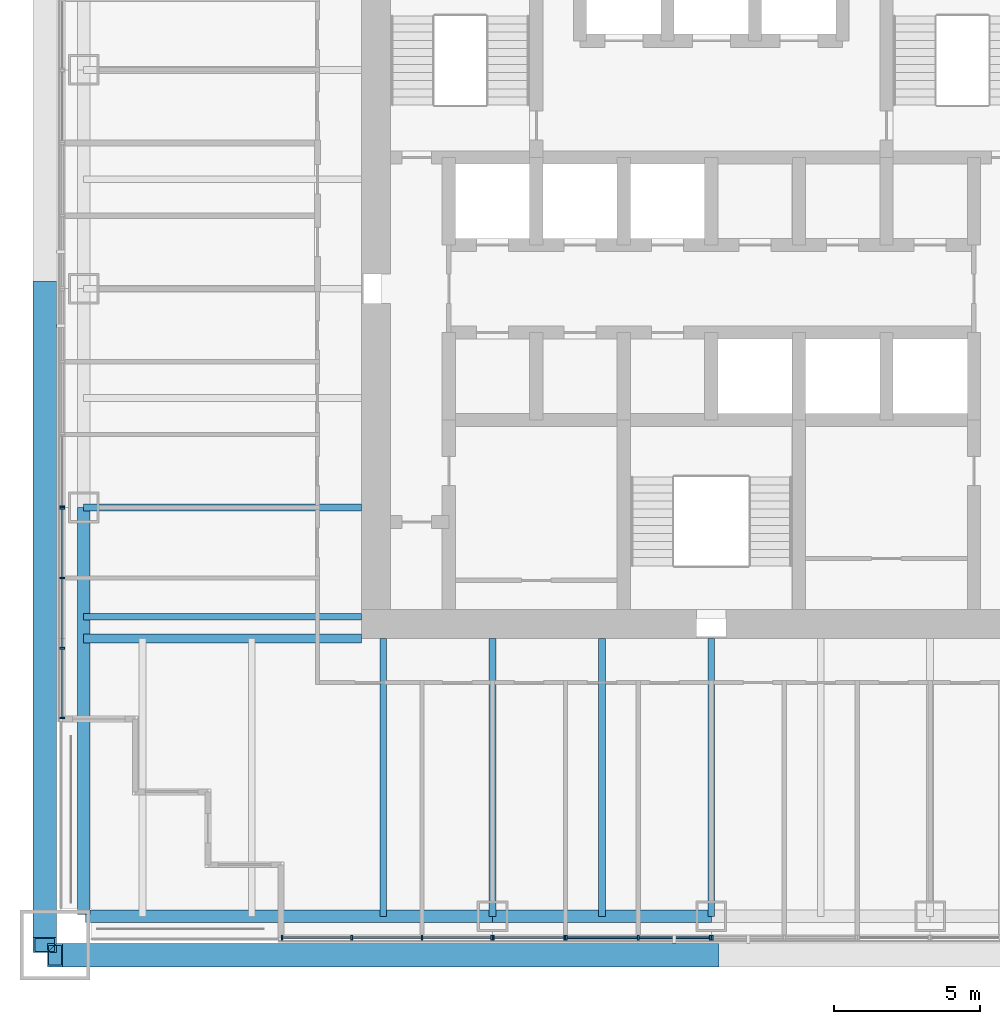
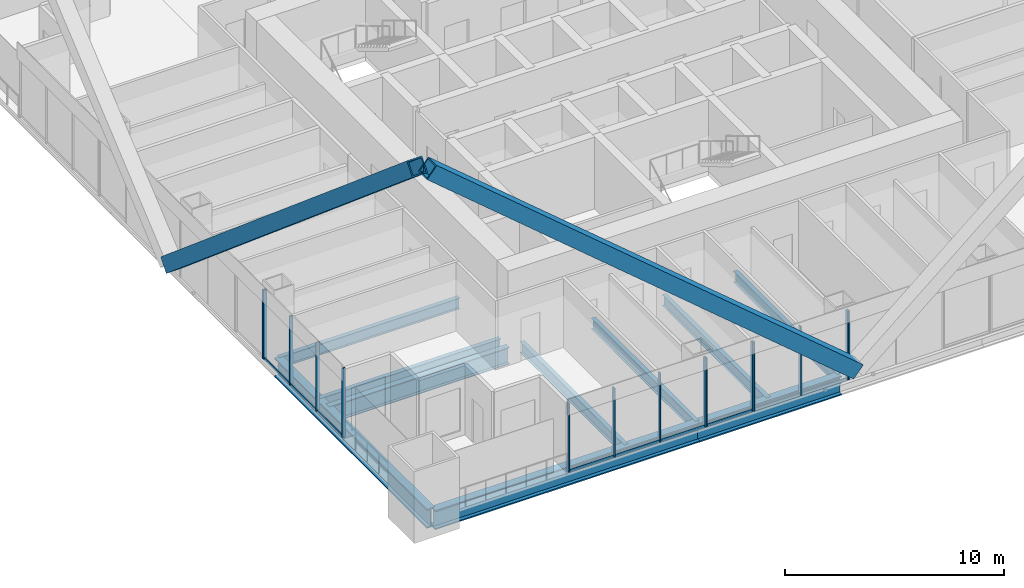
# One storey, part 2 of 17: 26 members, 10 beams, 6 elements without a shape of their own.
"""IFC4 building model written with IfcOpenShell, lengths in metres."""

from ifc_helpers import new_model, si_unit, direction, frame, origin, origin_2d, place, context, subcontext, project, spatial, rectangle, hollow_rectangle, i_section, extrude, material, material_profile, profile_set, type_object, element, aggregate, save


model = new_model("IFC4")

# Units and contexts
model_context = context("Model", 3, precision=1e-05, world=origin(), true_north=direction((0.0, 1.0)))
body_context = subcontext(model_context, "Body", "Model", "MODEL_VIEW")
ifc_project = project(units=[si_unit("LENGTHUNIT", "METRE"), si_unit("AREAUNIT", "SQUARE_METRE"), si_unit("VOLUMEUNIT", "CUBIC_METRE"), si_unit("PLANEANGLEUNIT", "RADIAN"), si_unit("MASSUNIT", "GRAM", prefix="KILO")], contexts=[model_context])

# Site, building, storey
site_placement = place(None, origin())
site = spatial("IfcSite", under=ifc_project, at=site_placement, CompositionType="ELEMENT")
building_placement = place(site_placement, origin())
building = spatial("IfcBuilding", under=site, at=building_placement, Name="Tarangal Relay Tower", CompositionType="ELEMENT")
storey_placement = place(building_placement, frame((0.0, 0.0, 233.89990234375)))
storey = spatial("IfcBuildingStorey", under=building, at=storey_placement, Name="L50", CompositionType="ELEMENT", Elevation=233.89990234375)

# Beams
ifc_material_1 = material(Name="Steel ASTM A992", Category="steel")
ifc_material_profile_1 = material_profile(ifc_material_1, i_section(OverallWidth=0.307373046875, OverallDepth=0.9423828125, WebThickness=0.022216796875, FlangeThickness=0.039794921875, at=origin_2d()), Name="W36X232")
ifc_profile_set_1 = profile_set([ifc_material_profile_1], Name="Steel ASTM A992")
beam_type_1 = type_object("IfcBeamType", Name="Corner girder W36X232", PredefinedType="BEAM", material=ifc_profile_set_1)
beam_1_placement = place(storey_placement, frame((-12.0, -12.0, -0.62109375), z_axis=(-1.0, 0.0, 0.0), x_axis=(0.0, -1.0, 0.0)))
element("IfcBeam", 1, at=beam_1_placement, inside=storey, type_object=beam_type_1, Name="Corner girder CG4 S L50", PredefinedType="BEAM", context=body_context, shape_type="SweptSolid", body=[
    extrude(i_section(OverallWidth=0.307373046875, OverallDepth=0.9423828125, WebThickness=0.022216796875, FlangeThickness=0.039794921875, at=origin_2d()), origin(), (0.0, 0.0, 1.0), 9.514892578125),
])
ifc_material_profile_2 = material_profile(ifc_material_1, i_section(OverallWidth=0.41650390625, OverallDepth=1.0693359375, WebThickness=0.0390625, FlangeThickness=0.070068359375, at=origin_2d()), Name="W40X503")
ifc_profile_set_2 = profile_set([ifc_material_profile_2], Name="Steel ASTM A992")
beam_type_2 = type_object("IfcBeamType", Name="Edge girder W40X503", PredefinedType="SPANDREL", material=ifc_profile_set_2)
beam_2_placement = place(storey_placement, frame((0.0, -21.514892578125, -0.6845703125), z_axis=(-1.0, 0.0, 0.0), x_axis=(0.0, -1.0, 0.0)))
element("IfcBeam", 2, at=beam_2_placement, inside=storey, type_object=beam_type_2, Name="Edge girder EG8 S L50", PredefinedType="SPANDREL", context=body_context, shape_type="SweptSolid", body=[
    extrude(i_section(OverallWidth=0.41650390625, OverallDepth=1.0693359375, WebThickness=0.0390625, FlangeThickness=0.070068359375, at=origin_2d()), origin(), (0.0, 0.0, 1.0), 7.5),
])
for number, where, z_axis, x_axis, name in (
    (3, (-7.5, -21.514892578125, -0.6845703125), (-1.0, 0.0, 0.0), (0.0, -1.0, 0.0), "Edge girder EG8 S L50"),
    (4, (-21.514892578125, -21.449951171875, -0.6845703125), (0.0, 1.0, 0.0), (-1.0, 0.0, 0.0), "Edge girder EG8 W L50"),
):
    element("IfcBeam", number, at=place(storey_placement, frame(where, z_axis=z_axis, x_axis=x_axis)), inside=storey, type_object=beam_type_2, Name=name, PredefinedType="SPANDREL", context=body_context, shape_type="SweptSolid", body=[
        extrude(i_section(OverallWidth=0.41650390625, OverallDepth=1.0693359375, WebThickness=0.0390625, FlangeThickness=0.070068359375, at=origin_2d()), origin(), (0.0, 0.0, 1.0), 13.949951171875),
    ])
ifc_material_profile_3 = material_profile(ifc_material_1, i_section(OverallWidth=0.22900390625, OverallDepth=0.612060546875, WebThickness=0.011962890625, FlangeThickness=0.01953125, at=origin_2d()), Name="W24X84")
ifc_profile_set_3 = profile_set([ifc_material_profile_3], Name="Steel ASTM A992")
beam_type_3 = type_object("IfcBeamType", Name="Floor beam W24X84", PredefinedType="BEAM", material=ifc_profile_set_3)
for number, where, z_axis, x_axis, name in (
    (5, (0.0, -12.0, -0.455810546875), (0.0, -1.0, 0.0), (1.0, 0.0, 0.0), "Floor beam RB12 S L50"),
    (6, (-3.75, -12.0, -0.455810546875), (0.0, -1.0, 0.0), (1.0, 0.0, 0.0), "Floor beam RB12 S L50"),
    (7, (-7.5, -12.0, -0.455810546875), (0.0, -1.0, 0.0), (1.0, 0.0, 0.0), "Floor beam RB12 S L50"),
    (8, (-11.25, -12.0, -0.455810546875), (0.0, -1.0, 0.0), (1.0, 0.0, 0.0), "Floor beam RB12 S L50"),
    (9, (-12.0, -11.25, -0.455810546875), (-1.0, 0.0, 0.0), (0.0, -1.0, 0.0), "Floor beam RB12 W L50"),
    (10, (-12.0, -7.5, -0.455810546875), (-1.0, 0.0, 0.0), (0.0, -1.0, 0.0), "Floor beam RB12 W L50"),
):
    element("IfcBeam", number, at=place(storey_placement, frame(where, z_axis=z_axis, x_axis=x_axis)), inside=storey, type_object=beam_type_3, Name=name, PredefinedType="BEAM", context=body_context, shape_type="SweptSolid", body=[
        extrude(i_section(OverallWidth=0.22900390625, OverallDepth=0.612060546875, WebThickness=0.011962890625, FlangeThickness=0.01953125, at=origin_2d()), origin(), (0.0, 0.0, 1.0), 9.514892578125),
    ])

# Members
ifc_material_2 = material(Name="Steel ASTM A572 Grade 50", Category="steel")
ifc_material_profile_4 = material_profile(ifc_material_2, hollow_rectangle(XDim=0.800048828125, YDim=0.800048828125, WallThickness=0.06494140625, at=origin_2d()), Name="BOX800X800X65")
ifc_profile_set_4 = profile_set([ifc_material_profile_4], Name="Steel ASTM A572 Grade 50")
member_type_1 = type_object("IfcMemberType", Name="Mega brace BOX800X800X65", PredefinedType="BRACE", material=ifc_profile_set_4)
for number, where, z_axis, x_axis, name in (
    (11, (0.0, -22.85009765625, 1.0), (-0.764029915847, 0.0, 0.645180817826), (0.0, -1.0, 0.0), "Mega brace MB3 S face module 2"),
    (12, (-22.85009765625, 0.0, 1.0), (0.0, -0.764029915847, 0.645180817826), (1.0, 0.0, 0.0), "Mega brace MB3 W face module 2"),
):
    element("IfcMember", number, at=place(storey_placement, frame(where, z_axis=z_axis, x_axis=x_axis)), inside=storey, type_object=member_type_1, Name=name, PredefinedType="BRACE", context=body_context, shape_type="SweptSolid", body=[
        extrude(hollow_rectangle(XDim=0.800048828125, YDim=0.800048828125, WallThickness=0.06494140625, at=origin_2d()), origin(), (0.0, 0.0, 1.0), 29.44921875),
    ])

# Curtain wall, members
ifc_material_3 = material(Name="Unitised curtain wall, dark glass and black aluminium", Category="aluminium")
curtain_wall_type_1 = type_object("IfcCurtainWallType", Name="Curtain wall CW-A", PredefinedType="USERDEFINED", material=ifc_material_3)
curtain_wall_1_placement = place(storey_placement, origin())
curtain_wall_1 = element("IfcCurtainWall", 13, at=curtain_wall_1_placement, inside=storey, type_object=curtain_wall_type_1, Name="Curtain wall CW-A S facade L50", ObjectType="UNITISED CURTAIN WALL", PredefinedType="USERDEFINED")
ifc_material_4 = material(Name="Black anodised aluminium mullion", Category="aluminium")
ifc_material_profile_5 = material_profile(ifc_material_4, rectangle(XDim=0.175048828125, YDim=0.06494140625, at=origin_2d()), Name="CW-AM 65X175")
ifc_profile_set_5 = profile_set([ifc_material_profile_5], Name="Black anodised aluminium mullion")
member_type_2 = type_object("IfcMemberType", Name="Mullion CW-A 65 x 175", PredefinedType="MULLION", material=ifc_profile_set_5)
member_1_placement = place(storey_placement, frame((-5.032470703125, -22.25, 0.0), z_axis=(0.0, 0.0, 1.0), x_axis=(0.0, -1.0, 0.0)))
member_1 = element("IfcMember", 14, at=member_1_placement, type_object=member_type_2, Name="CW-A mullion 1", PredefinedType="MULLION", context=body_context, shape_type="SweptSolid", body=[
    extrude(rectangle(XDim=0.175048828125, YDim=0.06494140625, at=origin_2d()), origin(), (0.0, 0.0, 1.0), 3.85009765625),
])
member_2_placement = place(storey_placement, frame((-7.467529296875, -22.25, 0.0), z_axis=(0.0, 0.0, 1.0), x_axis=(0.0, -1.0, 0.0)))
member_2 = element("IfcMember", 15, at=member_2_placement, type_object=member_type_2, Name="CW-A mullion 2", PredefinedType="MULLION", context=body_context, shape_type="SweptSolid", body=[
    extrude(rectangle(XDim=0.175048828125, YDim=0.06494140625, at=origin_2d()), origin(), (0.0, 0.0, 1.0), 3.85009765625),
])

curtain_wall_2_placement = place(storey_placement, origin())
curtain_wall_2 = element("IfcCurtainWall", 16, at=curtain_wall_2_placement, inside=storey, type_object=curtain_wall_type_1, Name="Curtain wall CW-A S facade L50", ObjectType="UNITISED CURTAIN WALL", PredefinedType="USERDEFINED")
member_3_placement = place(storey_placement, frame((-7.532470703125, -22.25, 0.0), z_axis=(0.0, 0.0, 1.0), x_axis=(0.0, -1.0, 0.0)))
member_3 = element("IfcMember", 17, at=member_3_placement, type_object=member_type_2, Name="CW-A mullion 1", PredefinedType="MULLION", context=body_context, shape_type="SweptSolid", body=[
    extrude(rectangle(XDim=0.175048828125, YDim=0.06494140625, at=origin_2d()), origin(), (0.0, 0.0, 1.0), 3.85009765625),
])
member_4_placement = place(storey_placement, frame((-9.916748046875, -22.25, 0.0), z_axis=(0.0, 0.0, 1.0), x_axis=(0.0, -1.0, 0.0)))
member_4 = element("IfcMember", 18, at=member_4_placement, type_object=member_type_2, Name="CW-A mullion 2", PredefinedType="MULLION", context=body_context, shape_type="SweptSolid", body=[
    extrude(rectangle(XDim=0.175048828125, YDim=0.06494140625, at=origin_2d()), origin(), (0.0, 0.0, 1.0), 3.85009765625),
])
member_5_placement = place(storey_placement, frame((-12.333251953125, -22.25, 0.0), z_axis=(0.0, 0.0, 1.0), x_axis=(0.0, -1.0, 0.0)))
member_5 = element("IfcMember", 19, at=member_5_placement, type_object=member_type_2, Name="CW-A mullion 3", PredefinedType="MULLION", context=body_context, shape_type="SweptSolid", body=[
    extrude(rectangle(XDim=0.175048828125, YDim=0.06494140625, at=origin_2d()), origin(), (0.0, 0.0, 1.0), 3.85009765625),
])
member_6_placement = place(storey_placement, frame((-14.717529296875, -22.25, 0.0), z_axis=(0.0, 0.0, 1.0), x_axis=(0.0, -1.0, 0.0)))
member_6 = element("IfcMember", 20, at=member_6_placement, type_object=member_type_2, Name="CW-A mullion 4", PredefinedType="MULLION", context=body_context, shape_type="SweptSolid", body=[
    extrude(rectangle(XDim=0.175048828125, YDim=0.06494140625, at=origin_2d()), origin(), (0.0, 0.0, 1.0), 3.85009765625),
])

curtain_wall_3_placement = place(storey_placement, origin())
curtain_wall_3 = element("IfcCurtainWall", 21, at=curtain_wall_3_placement, inside=storey, type_object=curtain_wall_type_1, Name="Curtain wall CW-A W facade L50", ObjectType="UNITISED CURTAIN WALL", PredefinedType="USERDEFINED")
member_7_placement = place(storey_placement, frame((-22.25, -14.717529296875, 0.0), z_axis=(0.0, 0.0, 1.0), x_axis=(-1.0, 0.0, 0.0)))
member_7 = element("IfcMember", 22, at=member_7_placement, type_object=member_type_2, Name="CW-A mullion 1", PredefinedType="MULLION", context=body_context, shape_type="SweptSolid", body=[
    extrude(rectangle(XDim=0.175048828125, YDim=0.06494140625, at=origin_2d()), origin(), (0.0, 0.0, 1.0), 3.85009765625),
])
member_8_placement = place(storey_placement, frame((-22.25, -12.333251953125, 0.0), z_axis=(0.0, 0.0, 1.0), x_axis=(-1.0, 0.0, 0.0)))
member_8 = element("IfcMember", 23, at=member_8_placement, type_object=member_type_2, Name="CW-A mullion 2", PredefinedType="MULLION", context=body_context, shape_type="SweptSolid", body=[
    extrude(rectangle(XDim=0.175048828125, YDim=0.06494140625, at=origin_2d()), origin(), (0.0, 0.0, 1.0), 3.85009765625),
])
member_9_placement = place(storey_placement, frame((-22.25, -9.916748046875, 0.0), z_axis=(0.0, 0.0, 1.0), x_axis=(-1.0, 0.0, 0.0)))
member_9 = element("IfcMember", 24, at=member_9_placement, type_object=member_type_2, Name="CW-A mullion 3", PredefinedType="MULLION", context=body_context, shape_type="SweptSolid", body=[
    extrude(rectangle(XDim=0.175048828125, YDim=0.06494140625, at=origin_2d()), origin(), (0.0, 0.0, 1.0), 3.85009765625),
])
member_10_placement = place(storey_placement, frame((-22.25, -7.532470703125, 0.0), z_axis=(0.0, 0.0, 1.0), x_axis=(-1.0, 0.0, 0.0)))
member_10 = element("IfcMember", 25, at=member_10_placement, type_object=member_type_2, Name="CW-A mullion 4", PredefinedType="MULLION", context=body_context, shape_type="SweptSolid", body=[
    extrude(rectangle(XDim=0.175048828125, YDim=0.06494140625, at=origin_2d()), origin(), (0.0, 0.0, 1.0), 3.85009765625),
])

# Curtain wall, member
curtain_wall_4_placement = place(storey_placement, origin())
curtain_wall_4 = element("IfcCurtainWall", 26, at=curtain_wall_4_placement, inside=storey, type_object=curtain_wall_type_1, Name="Curtain wall CW-A W facade L50", ObjectType="UNITISED CURTAIN WALL", PredefinedType="USERDEFINED")
member_11_placement = place(storey_placement, frame((-22.25, -7.467529296875, 0.0), z_axis=(0.0, 0.0, 1.0), x_axis=(-1.0, 0.0, 0.0)))
member_11 = element("IfcMember", 27, at=member_11_placement, type_object=member_type_2, Name="CW-A mullion 1", PredefinedType="MULLION", context=body_context, shape_type="SweptSolid", body=[
    extrude(rectangle(XDim=0.175048828125, YDim=0.06494140625, at=origin_2d()), origin(), (0.0, 0.0, 1.0), 3.85009765625),
])
aggregate(curtain_wall_4, [member_11])

ifc_material_5 = material(Name="Unitised curtain wall frame, black aluminium, with metal clad infill walls", Category="aluminium")
curtain_wall_type_2 = type_object("IfcCurtainWallType", Name="Curtain wall CW-AO", PredefinedType="USERDEFINED", material=ifc_material_5)
curtain_wall_5_placement = place(storey_placement, origin())
curtain_wall_5 = element("IfcCurtainWall", 28, at=curtain_wall_5_placement, inside=storey, type_object=curtain_wall_type_2, Name="Curtain wall CW-AO S facade L50", ObjectType="UNITISED CURTAIN WALL", PredefinedType="USERDEFINED")
ifc_material_profile_6 = material_profile(ifc_material_4, rectangle(XDim=0.175048828125, YDim=0.06494140625, at=origin_2d()), Name="CW-AOM 65X175")
ifc_profile_set_6 = profile_set([ifc_material_profile_6], Name="Black anodised aluminium mullion")
member_type_3 = type_object("IfcMemberType", Name="Mullion CW-AO 65 x 175", PredefinedType="MULLION", material=ifc_profile_set_6)
member_12_placement = place(storey_placement, frame((0.032470703125, -22.25, 0.0), z_axis=(0.0, 0.0, 1.0), x_axis=(0.0, -1.0, 0.0)))
member_12 = element("IfcMember", 29, at=member_12_placement, type_object=member_type_3, Name="CW-AO mullion 3", PredefinedType="MULLION", context=body_context, shape_type="SweptSolid", body=[
    extrude(rectangle(XDim=0.175048828125, YDim=0.06494140625, at=origin_2d()), origin(), (0.0, 0.0, 1.0), 3.85009765625),
])
aggregate(curtain_wall_5, [member_12])

# Curtain wall, members
curtain_wall_6_placement = place(storey_placement, origin())
curtain_wall_6 = element("IfcCurtainWall", 30, at=curtain_wall_6_placement, inside=storey, type_object=curtain_wall_type_2, Name="Curtain wall CW-AO S facade L50", ObjectType="UNITISED CURTAIN WALL", PredefinedType="USERDEFINED")
member_13_placement = place(storey_placement, frame((-0.032470703125, -22.25, 0.0), z_axis=(0.0, 0.0, 1.0), x_axis=(0.0, -1.0, 0.0)))
member_13 = element("IfcMember", 31, at=member_13_placement, type_object=member_type_3, Name="CW-AO mullion 1", PredefinedType="MULLION", context=body_context, shape_type="SweptSolid", body=[
    extrude(rectangle(XDim=0.175048828125, YDim=0.06494140625, at=origin_2d()), origin(), (0.0, 0.0, 1.0), 3.85009765625),
])
member_14_placement = place(storey_placement, frame((-2.5, -22.25, 0.0), z_axis=(0.0, 0.0, 1.0), x_axis=(0.0, -1.0, 0.0)))
member_14 = element("IfcMember", 32, at=member_14_placement, type_object=member_type_3, Name="CW-AO mullion 2", PredefinedType="MULLION", context=body_context, shape_type="SweptSolid", body=[
    extrude(rectangle(XDim=0.175048828125, YDim=0.06494140625, at=origin_2d()), origin(), (0.0, 0.0, 1.0), 3.85009765625),
])
member_15_placement = place(storey_placement, frame((-4.967529296875, -22.25, 0.0), z_axis=(0.0, 0.0, 1.0), x_axis=(0.0, -1.0, 0.0)))
member_15 = element("IfcMember", 33, at=member_15_placement, type_object=member_type_3, Name="CW-AO mullion 3", PredefinedType="MULLION", context=body_context, shape_type="SweptSolid", body=[
    extrude(rectangle(XDim=0.175048828125, YDim=0.06494140625, at=origin_2d()), origin(), (0.0, 0.0, 1.0), 3.85009765625),
])

# Member
ifc_material_6 = material(Name="Black anodised aluminium transom", Category="aluminium")
ifc_material_profile_7 = material_profile(ifc_material_6, rectangle(XDim=0.06494140625, YDim=0.14990234375, at=origin_2d()), Name="CW-AT 65X150")
ifc_profile_set_7 = profile_set([ifc_material_profile_7], Name="Black anodised aluminium transom")
member_type_4 = type_object("IfcMemberType", Name="Transom CW-A 65 x 150", PredefinedType="USERDEFINED", material=ifc_profile_set_7)
member_16_placement = place(storey_placement, frame((-5.06494140625, -22.25, 0.03271484375), z_axis=(-1.0, 0.0, 0.0), x_axis=(0.0, -1.0, 0.0)))
member_16 = element("IfcMember", 34, at=member_16_placement, type_object=member_type_4, Name="CW-A transom 1.1", ObjectType="TRANSOM", PredefinedType="USERDEFINED", context=body_context, shape_type="SweptSolid", body=[
    extrude(rectangle(XDim=0.06494140625, YDim=0.14990234375, at=origin_2d()), origin(), (0.0, 0.0, 1.0), 2.3701171875),
])

aggregate(curtain_wall_1, [member_1, member_2, member_16])

member_17_placement = place(storey_placement, frame((-7.56494140625, -22.25, 0.03271484375), z_axis=(-1.0, 0.0, 0.0), x_axis=(0.0, -1.0, 0.0)))
member_17 = element("IfcMember", 35, at=member_17_placement, type_object=member_type_4, Name="CW-A transom 1.1", ObjectType="TRANSOM", PredefinedType="USERDEFINED", context=body_context, shape_type="SweptSolid", body=[
    extrude(rectangle(XDim=0.06494140625, YDim=0.14990234375, at=origin_2d()), origin(), (0.0, 0.0, 1.0), 2.3193359375),
])

member_18_placement = place(storey_placement, frame((-9.94921875, -22.25, 0.03271484375), z_axis=(-1.0, 0.0, 0.0), x_axis=(0.0, -1.0, 0.0)))
member_18 = element("IfcMember", 36, at=member_18_placement, type_object=member_type_4, Name="CW-A transom 2.1", ObjectType="TRANSOM", PredefinedType="USERDEFINED", context=body_context, shape_type="SweptSolid", body=[
    extrude(rectangle(XDim=0.06494140625, YDim=0.14990234375, at=origin_2d()), origin(), (0.0, 0.0, 1.0), 2.3515625),
])

member_19_placement = place(storey_placement, frame((-12.36572265625, -22.25, 0.03271484375), z_axis=(-1.0, 0.0, 0.0), x_axis=(0.0, -1.0, 0.0)))
member_19 = element("IfcMember", 37, at=member_19_placement, type_object=member_type_4, Name="CW-A transom 3.1", ObjectType="TRANSOM", PredefinedType="USERDEFINED", context=body_context, shape_type="SweptSolid", body=[
    extrude(rectangle(XDim=0.06494140625, YDim=0.14990234375, at=origin_2d()), origin(), (0.0, 0.0, 1.0), 2.3193359375),
])

aggregate(curtain_wall_2, [member_3, member_4, member_5, member_6, member_17, member_18, member_19])

member_20_placement = place(storey_placement, frame((-22.25, -14.68505859375, 0.03271484375), z_axis=(0.0, 1.0, 0.0), x_axis=(-1.0, 0.0, 0.0)))
member_20 = element("IfcMember", 38, at=member_20_placement, type_object=member_type_4, Name="CW-A transom 1.1", ObjectType="TRANSOM", PredefinedType="USERDEFINED", context=body_context, shape_type="SweptSolid", body=[
    extrude(rectangle(XDim=0.06494140625, YDim=0.14990234375, at=origin_2d()), origin(), (0.0, 0.0, 1.0), 2.3193359375),
])

member_21_placement = place(storey_placement, frame((-22.25, -12.30078125, 0.03271484375), z_axis=(0.0, 1.0, 0.0), x_axis=(-1.0, 0.0, 0.0)))
member_21 = element("IfcMember", 39, at=member_21_placement, type_object=member_type_4, Name="CW-A transom 2.1", ObjectType="TRANSOM", PredefinedType="USERDEFINED", context=body_context, shape_type="SweptSolid", body=[
    extrude(rectangle(XDim=0.06494140625, YDim=0.14990234375, at=origin_2d()), origin(), (0.0, 0.0, 1.0), 2.3515625),
])

member_22_placement = place(storey_placement, frame((-22.25, -9.88427734375, 0.03271484375), z_axis=(0.0, 1.0, 0.0), x_axis=(-1.0, 0.0, 0.0)))
member_22 = element("IfcMember", 40, at=member_22_placement, type_object=member_type_4, Name="CW-A transom 3.1", ObjectType="TRANSOM", PredefinedType="USERDEFINED", context=body_context, shape_type="SweptSolid", body=[
    extrude(rectangle(XDim=0.06494140625, YDim=0.14990234375, at=origin_2d()), origin(), (0.0, 0.0, 1.0), 2.3193359375),
])

aggregate(curtain_wall_3, [member_7, member_8, member_9, member_10, member_20, member_21, member_22])

ifc_material_profile_8 = material_profile(ifc_material_6, rectangle(XDim=0.06494140625, YDim=0.14990234375, at=origin_2d()), Name="CW-AOT 65X150")
ifc_profile_set_8 = profile_set([ifc_material_profile_8], Name="Black anodised aluminium transom")
member_type_5 = type_object("IfcMemberType", Name="Transom CW-AO 65 x 150", PredefinedType="USERDEFINED", material=ifc_profile_set_8)
member_23_placement = place(storey_placement, frame((-0.06494140625, -22.25, 0.03271484375), z_axis=(-1.0, 0.0, 0.0), x_axis=(0.0, -1.0, 0.0)))
member_23 = element("IfcMember", 41, at=member_23_placement, type_object=member_type_5, Name="CW-AO transom 1.1", ObjectType="TRANSOM", PredefinedType="USERDEFINED", context=body_context, shape_type="SweptSolid", body=[
    extrude(rectangle(XDim=0.06494140625, YDim=0.14990234375, at=origin_2d()), origin(), (0.0, 0.0, 1.0), 2.402587890625),
])

member_24_placement = place(storey_placement, frame((-2.532470703125, -22.25, 0.03271484375), z_axis=(-1.0, 0.0, 0.0), x_axis=(0.0, -1.0, 0.0)))
member_24 = element("IfcMember", 42, at=member_24_placement, type_object=member_type_5, Name="CW-AO transom 2.1", ObjectType="TRANSOM", PredefinedType="USERDEFINED", context=body_context, shape_type="SweptSolid", body=[
    extrude(rectangle(XDim=0.06494140625, YDim=0.14990234375, at=origin_2d()), origin(), (0.0, 0.0, 1.0), 2.402587890625),
])

aggregate(curtain_wall_6, [member_13, member_14, member_15, member_23, member_24])

save(model, "model.ifc")
